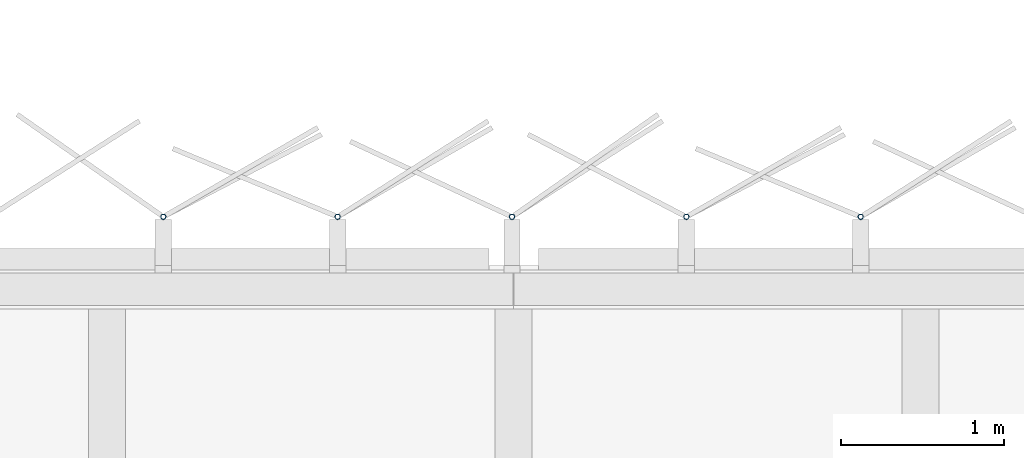
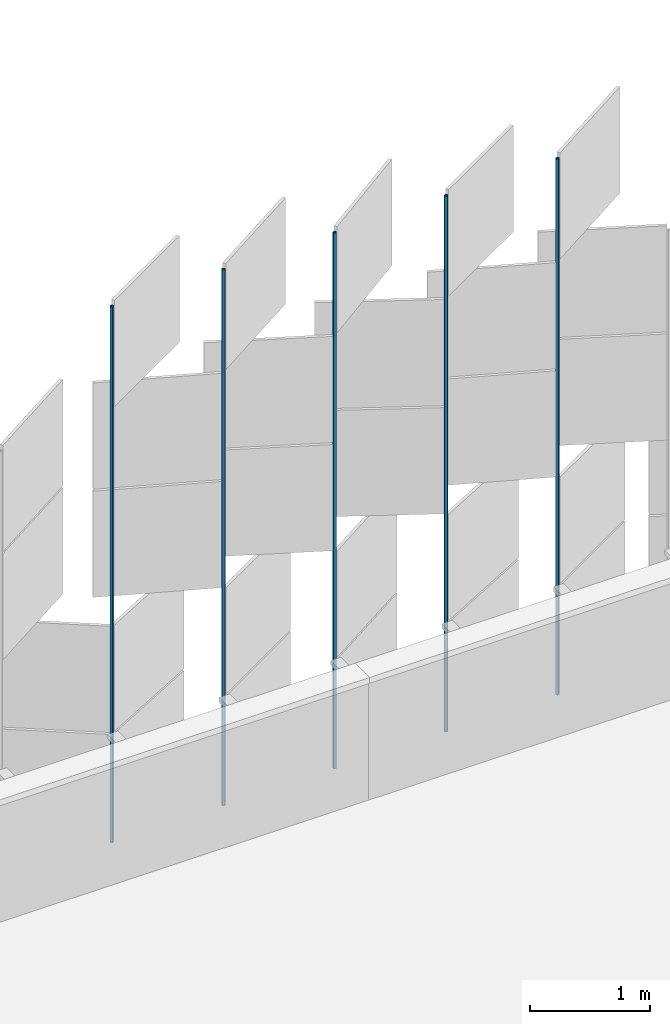
# One storey, part 341 of 483: 5 discrete accessories.
"""IFC4 building model written with IfcOpenShell, lengths in metres."""

from ifc_helpers import new_model, si_unit, direction, frame, origin, origin_2d, place, context, subcontext, project, spatial, hollow_circle, extrude, material, material_profile, profile_set, type_object, element, save


model = new_model("IFC4")

# Units and contexts
model_context = context("Model", 3, precision=1e-05, world=origin(), true_north=direction((0.0, 1.0)))
body_context = subcontext(model_context, "Body", "Model", "MODEL_VIEW")
ifc_project = project(units=[si_unit("LENGTHUNIT", "METRE"), si_unit("AREAUNIT", "SQUARE_METRE"), si_unit("VOLUMEUNIT", "CUBIC_METRE"), si_unit("PLANEANGLEUNIT", "RADIAN"), si_unit("MASSUNIT", "GRAM", prefix="KILO")], contexts=[model_context])

# Site, building, storey
site_placement = place(None, origin())
site = spatial("IfcSite", under=ifc_project, at=site_placement, CompositionType="ELEMENT")
building_placement = place(site_placement, origin())
building = spatial("IfcBuilding", under=site, at=building_placement, Name="Parallax Yard Mobility Hub", CompositionType="ELEMENT")
storey_placement = place(building_placement, frame((0.0, 0.0, 13.199951171875)))
storey = spatial("IfcBuildingStorey", under=building, at=storey_placement, Name="L04", CompositionType="ELEMENT", Elevation=13.199951171875)

# Discrete accessories
ifc_material = material(Name="Steel ASTM A500 Gr C, hot-dip galvanised", Category="steel")
ifc_material_profile = material_profile(ifc_material, hollow_circle(Radius=0.016845703125, WallThickness=0.003173828125, at=origin_2d()), Name="CHS 33.7x3.2")
ifc_profile_set = profile_set([ifc_material_profile], Name="Steel ASTM A500 Gr C, hot-dip galvanised")
discrete_accessory_type = type_object("IfcDiscreteAccessoryType", Name="Hinge post CHS 33.7x3.2", PredefinedType="BRACKET", material=ifc_profile_set)
for number, where, z_axis, x_axis, name in (
    (1, (77.13330078125, 142.800048828125, 0.0), (0.0, 0.0, 1.0), (1.0, 0.0, 0.0), "Hinge post bay 63.6 level L04"),
    (2, (76.06201171875, 142.800048828125, 0.0), (0.0, 0.0, 1.0), (1.0, 0.0, 0.0), "Hinge post bay 63.7 level L04"),
    (3, (74.990234375, 142.800048828125, 0.0), (0.0, 0.0, 1.0), (1.0, 0.0, 0.0), "Hinge post bay 64.1 level L04"),
    (4, (73.918701171875, 142.800048828125, 0.0), (0.0, 0.0, 1.0), (1.0, 0.0, 0.0), "Hinge post bay 64.2 level L04"),
    (5, (72.84716796875, 142.800048828125, 0.0), (0.0, 0.0, 1.0), (1.0, 0.0, 0.0), "Hinge post bay 64.3 level L04"),
):
    element("IfcDiscreteAccessory", number, at=place(storey_placement, frame(where, z_axis=z_axis, x_axis=x_axis)), inside=storey, type_object=discrete_accessory_type, Name=name, PredefinedType="BRACKET", context=body_context, shape_type="SweptSolid", body=[
        extrude(hollow_circle(Radius=0.016845703125, WallThickness=0.003173828125, at=origin_2d()), origin(), (0.0, 0.0, 1.0), 5.449951171875),
    ])

save(model, "model.ifc")
